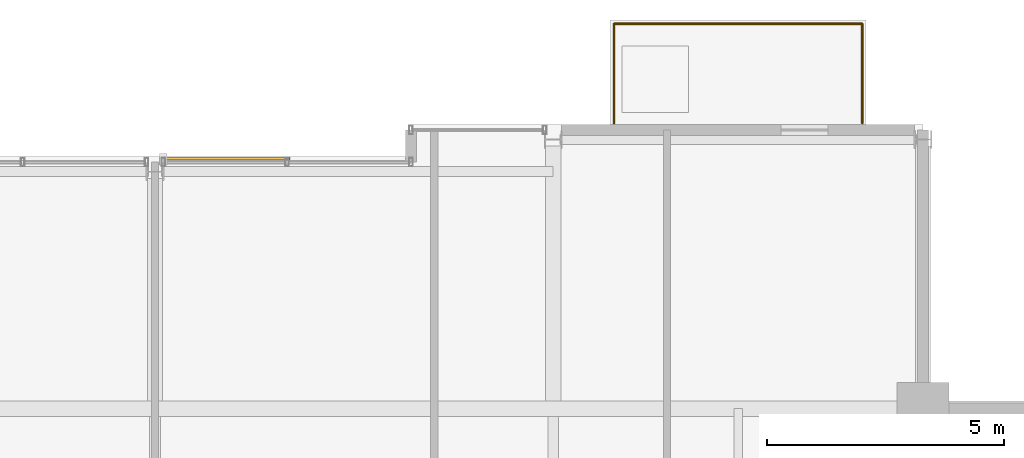
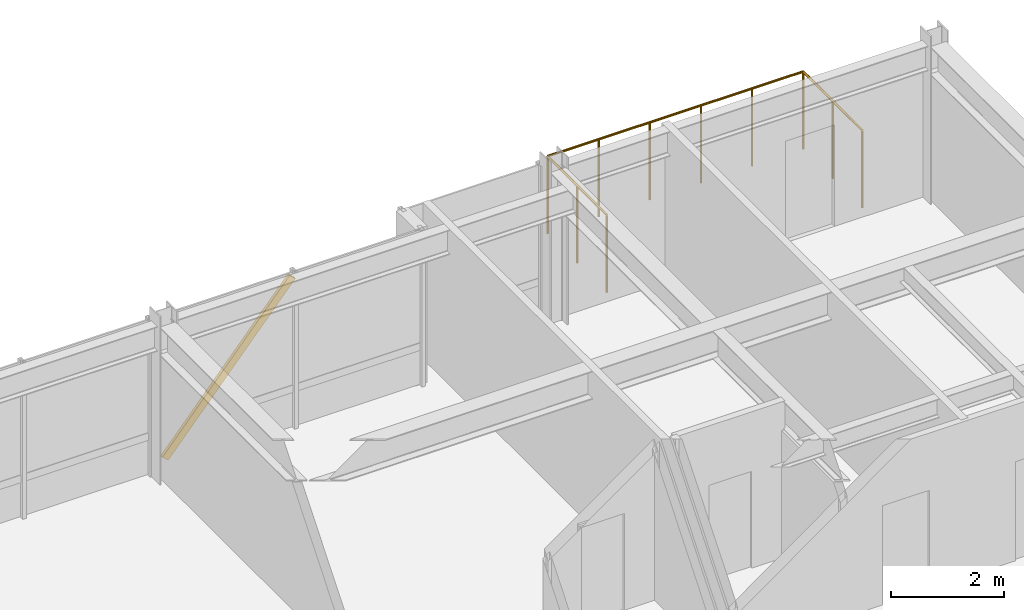
# One storey, part 32 of 32: 1 railing, 1 shading device.
"""IFC4 building model written with IfcOpenShell, lengths in metres."""

from ifc_helpers import new_model, si_unit, direction, frame, origin, origin_2d, place, context, subcontext, project, spatial, hollow_rectangle, circle, extrude, material, material_profile, profile_set, type_object, element, save


model = new_model("IFC4")

# Units and contexts
model_context = context("Model", 3, precision=1e-05, world=origin(), true_north=direction((0.0, 1.0)))
body_context = subcontext(model_context, "Body", "Model", "MODEL_VIEW")
ifc_project = project(units=[si_unit("LENGTHUNIT", "METRE"), si_unit("AREAUNIT", "SQUARE_METRE"), si_unit("VOLUMEUNIT", "CUBIC_METRE"), si_unit("PLANEANGLEUNIT", "RADIAN"), si_unit("MASSUNIT", "GRAM", prefix="KILO")], contexts=[model_context])

# Site, building, storey
site_placement = place(None, origin())
site = spatial("IfcSite", under=ifc_project, at=site_placement, CompositionType="ELEMENT")
building_placement = place(site_placement, origin())
building = spatial("IfcBuilding", under=site, at=building_placement, Name="Drelvath Grand Hotel", CompositionType="ELEMENT")
storey_placement = place(building_placement, frame((0.0, 0.0, 265.0)))
storey = spatial("IfcBuildingStorey", under=building, at=storey_placement, Name="L69", CompositionType="ELEMENT", Elevation=265.0)

# Shading device
ifc_material_1 = material(Name="Platinum-Mist Anodised Aluminium", Category="aluminium")
ifc_material_profile = material_profile(ifc_material_1, hollow_rectangle(XDim=0.06494140625, YDim=0.159912109375, WallThickness=0.00390625, at=origin_2d()), Name="HSS160X65X4")
ifc_profile_set = profile_set([ifc_material_profile], Name="Platinum-Mist Anodised Aluminium")
shading_device_type = type_object("IfcShadingDeviceType", Name="Diagonal Solar Fin Platinum Anodised HSS160X65X4", PredefinedType="USERDEFINED", material=ifc_profile_set)
shading_device_placement = place(storey_placement, frame((0.17822265625, 48.47998046875, 0.179931640625), z_axis=(0.652759690276, 0.0, 0.757565037967), x_axis=(0.0, 1.0, 0.0)))
element("IfcShadingDevice", 1, at=shading_device_placement, inside=storey, type_object=shading_device_type, Name="L69 Diagonal Anodised Fin CW05-L69-NM2", ObjectType="FIN", PredefinedType="USERDEFINED", context=body_context, shape_type="SweptSolid", body=[
    extrude(hollow_rectangle(XDim=0.06494140625, YDim=0.159912109375, WallThickness=0.00390625, at=origin_2d()), origin(), (0.0, 0.0, 1.0), 3.999755859375),
])

# Railing
ifc_material_2 = material(Name="Anodised Aluminium and Laminated Glass Balustrade", Category="aluminium")
railing_type = type_object("IfcRailingType", Name="Raised Planter Edge Balustrade 1700", PredefinedType="BALUSTRADE", material=ifc_material_2)
railing_placement = place(storey_placement, frame((9.679931640625, 49.219970703125, 0.0)))
element("IfcRailing", 2, at=railing_placement, inside=storey, type_object=railing_type, Name="L69 Tree Balcony Perimeter Balustrade 1", PredefinedType="BALUSTRADE", context=body_context, shape_type="SweptSolid", body=[
    extrude(circle(Radius=0.02392578125, at=origin_2d()), frame((0.0, 0.0, 1.67578125), z_axis=(0.0, 1.0, 0.0), x_axis=(-1.0, 0.0, 0.0)), (0.0, 0.0, 1.0), 2.10009765625),
    extrude(circle(Radius=0.02392578125, at=origin_2d()), frame((0.0, 2.10009765625, 1.67578125), z_axis=(1.0, 0.0, 0.0), x_axis=(0.0, 1.0, 0.0)), (0.0, 0.0, 1.0), 5.239990234375),
    extrude(circle(Radius=0.02392578125, at=origin_2d()), frame((5.239990234375, 2.10009765625, 1.67578125), z_axis=(0.0, -1.0, 0.0), x_axis=(1.0, 0.0, 0.0)), (0.0, 0.0, 1.0), 2.10009765625),
    extrude(circle(Radius=0.02099609375, at=origin_2d()), origin(), (0.0, 0.0, 1.0), 1.65185546875),
    extrude(circle(Radius=0.02099609375, at=origin_2d()), frame((0.0, 1.050048828125, 0.0)), (0.0, 0.0, 1.0), 1.65185546875),
    extrude(circle(Radius=0.02099609375, at=origin_2d()), frame((0.0, 2.10009765625, 0.0)), (0.0, 0.0, 1.0), 1.65185546875),
    extrude(circle(Radius=0.02099609375, at=origin_2d()), frame((1.048095703125, 2.10009765625, 0.0)), (0.0, 0.0, 1.0), 1.65185546875),
    extrude(circle(Radius=0.02099609375, at=origin_2d()), frame((2.095947265625, 2.10009765625, 0.0)), (0.0, 0.0, 1.0), 1.65185546875),
    extrude(circle(Radius=0.02099609375, at=origin_2d()), frame((3.14404296875, 2.10009765625, 0.0)), (0.0, 0.0, 1.0), 1.65185546875),
    extrude(circle(Radius=0.02099609375, at=origin_2d()), frame((4.19189453125, 2.10009765625, 0.0)), (0.0, 0.0, 1.0), 1.65185546875),
    extrude(circle(Radius=0.02099609375, at=origin_2d()), frame((5.239990234375, 2.10009765625, 0.0)), (0.0, 0.0, 1.0), 1.65185546875),
    extrude(circle(Radius=0.02099609375, at=origin_2d()), frame((5.239990234375, 1.050048828125, 0.0)), (0.0, 0.0, 1.0), 1.65185546875),
    extrude(circle(Radius=0.02099609375, at=origin_2d()), frame((5.239990234375, 0.0, 0.0)), (0.0, 0.0, 1.0), 1.65185546875),
])

save(model, "model.ifc")
